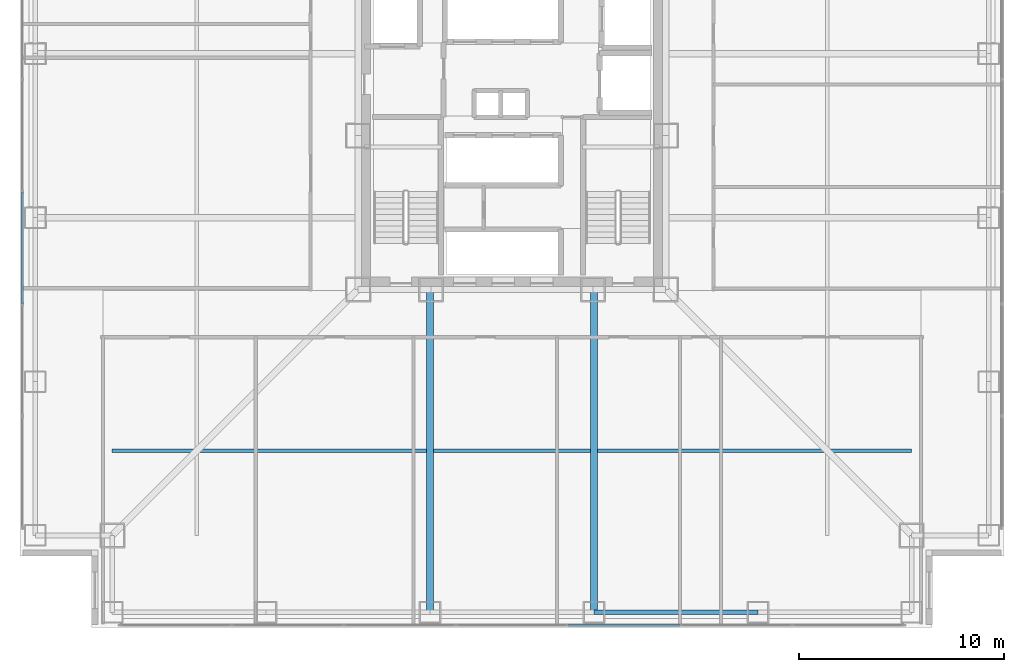
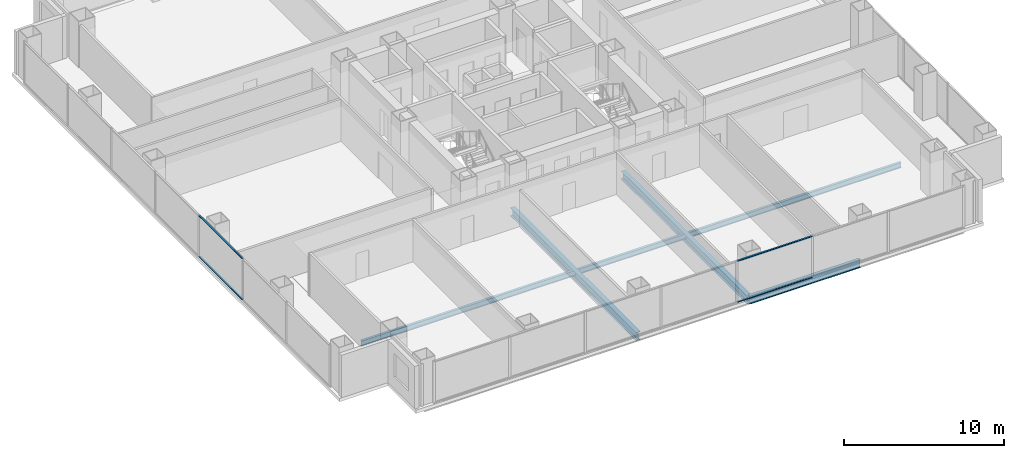
# One storey, part 3 of 19: 4 beams, 4 members, 2 elements without a shape of their own.
"""IFC4 building model written with IfcOpenShell, lengths in metres."""

from ifc_helpers import new_model, si_unit, direction, frame, origin, origin_2d, place, context, subcontext, project, spatial, rectangle, i_section, extrude, material, layer, layer_set, material_profile, profile_set, type_object, element, aggregate, save


model = new_model("IFC4")

# Units and contexts
model_context = context("Model", 3, precision=1e-05, world=origin(), true_north=direction((0.0, 1.0)))
body_context = subcontext(model_context, "Body", "Model", "MODEL_VIEW")
ifc_project = project(units=[si_unit("LENGTHUNIT", "METRE"), si_unit("AREAUNIT", "SQUARE_METRE"), si_unit("VOLUMEUNIT", "CUBIC_METRE"), si_unit("PLANEANGLEUNIT", "RADIAN"), si_unit("MASSUNIT", "GRAM", prefix="KILO")], contexts=[model_context])

# Site, building, storey
site_placement = place(None, origin())
site = spatial("IfcSite", under=ifc_project, at=site_placement, CompositionType="ELEMENT")
building_placement = place(site_placement, origin())
building = spatial("IfcBuilding", under=site, at=building_placement, Name="Trevonay Congress Spire", CompositionType="ELEMENT")
storey_placement = place(building_placement, frame((0.0, 0.0, 41.0)))
storey = spatial("IfcBuildingStorey", under=building, at=storey_placement, Name="L09", CompositionType="ELEMENT", Elevation=41.0)

# Beams
ifc_material_1 = material(Name="Steel ASTM A572 Grade 50", Category="steel")
ifc_material_profile_1 = material_profile(ifc_material_1, i_section(OverallWidth=0.324951171875, OverallDepth=0.615966796875, WebThickness=0.013916015625, FlangeThickness=0.021484375, FilletRadius=0.01806640625, at=origin_2d()), Name="W610x174")
ifc_profile_set_1 = profile_set([ifc_material_profile_1], Name="Steel ASTM A572 Grade 50")
beam_type_1 = type_object("IfcBeamType", Name="BM-GIRD-W610X174", PredefinedType="BEAM", material=ifc_profile_set_1)
for number, where, z_axis, x_axis, name in (
    (1, (-4.0, -7.5, -0.55810546875), (0.0, -1.0, 0.0), (1.0, 0.0, 0.0), "L09 structural beam BM-L09-GS-M"),
    (2, (4.0, -7.5, -0.55810546875), (0.0, -1.0, 0.0), (1.0, 0.0, 0.0), "L09 structural beam BM-L09-GS-P"),
):
    element("IfcBeam", number, at=place(storey_placement, frame(where, z_axis=z_axis, x_axis=x_axis)), inside=storey, type_object=beam_type_1, Name=name, PredefinedType="BEAM", context=body_context, shape_type="SweptSolid", body=[
        extrude(i_section(OverallWidth=0.324951171875, OverallDepth=0.615966796875, WebThickness=0.013916015625, FlangeThickness=0.021484375, FilletRadius=0.01806640625, at=origin_2d()), origin(), (0.0, 0.0, 1.0), 15.75),
    ])
ifc_material_profile_2 = material_profile(ifc_material_1, i_section(OverallWidth=0.22998046875, OverallDepth=0.616943359375, WebThickness=0.01318359375, FlangeThickness=0.022216796875, FilletRadius=0.01611328125, at=origin_2d()), Name="W610x140")
ifc_profile_set_2 = profile_set([ifc_material_profile_2], Name="Steel ASTM A572 Grade 50")
beam_type_2 = type_object("IfcBeamType", Name="BM-RING-W610X140", PredefinedType="BEAM", material=ifc_profile_set_2)
beam_1_placement = place(storey_placement, frame((4.0, -23.25, -0.55859375), z_axis=(1.0, 0.0, 0.0), x_axis=(0.0, 1.0, 0.0)))
element("IfcBeam", 3, at=beam_1_placement, inside=storey, type_object=beam_type_2, Name="L09 structural beam BM-L09-PS4", PredefinedType="BEAM", context=body_context, shape_type="SweptSolid", body=[
    extrude(i_section(OverallWidth=0.22998046875, OverallDepth=0.616943359375, WebThickness=0.01318359375, FlangeThickness=0.022216796875, FilletRadius=0.01611328125, at=origin_2d()), origin(), (0.0, 0.0, 1.0), 8.0),
])

# Curtain wall, members
ifc_material_2 = material(Name="Pale Anodised Aluminium EN AW-6063-T6", Category="aluminium")
ifc_layer = layer(ifc_material_2, 0.179931640625, Name="Pale Anodised Aluminium EN AW-6063-T6")
ifc_layer_set = layer_set([ifc_layer], Name="Pale Anodised Aluminium EN AW-6063-T6")
curtain_wall_type = type_object("IfcCurtainWallType", Name="CW-SYS02-HOTEL-PALE-METAL", PredefinedType="NOTDEFINED", material=ifc_layer_set)
curtain_wall_1_placement = place(storey_placement, origin())
curtain_wall_1 = element("IfcCurtainWall", 4, at=curtain_wall_1_placement, inside=storey, type_object=curtain_wall_type, Name="L09 S unitised curtain wall", PredefinedType="NOTDEFINED")
ifc_material_profile_3 = material_profile(ifc_material_2, rectangle(XDim=0.1201171875, YDim=0.06005859375, at=origin_2d()), Name="CW-TRANSOM-120-ALUMINIUM")
ifc_profile_set_3 = profile_set([ifc_material_profile_3], Name="Pale Anodised Aluminium EN AW-6063-T6")
member_type = type_object("IfcMemberType", Name="CW-TRANSOM-120-ALUMINIUM", PredefinedType="USERDEFINED", material=ifc_profile_set_3)
member_1_placement = place(storey_placement, frame((2.765625, -23.8798828125, 0.06005859375), z_axis=(1.0, 0.0, 0.0), x_axis=(0.0, 1.0, 0.0)))
member_1 = element("IfcMember", 5, at=member_1_placement, type_object=member_type, Name="CW02 transom 5.1", ObjectType="TRANSOM", PredefinedType="USERDEFINED", context=body_context, shape_type="SweptSolid", body=[
    extrude(rectangle(XDim=0.1201171875, YDim=0.06005859375, at=origin_2d()), origin(), (0.0, 0.0, 1.0), 5.41162109375),
])
member_2_placement = place(storey_placement, frame((2.765625, -23.8798828125, 3.18994140625), z_axis=(1.0, 0.0, 0.0), x_axis=(0.0, 1.0, 0.0)))
member_2 = element("IfcMember", 6, at=member_2_placement, type_object=member_type, Name="CW02 transom 5.2", ObjectType="TRANSOM", PredefinedType="USERDEFINED", context=body_context, shape_type="SweptSolid", body=[
    extrude(rectangle(XDim=0.1201171875, YDim=0.06005859375, at=origin_2d()), origin(), (0.0, 0.0, 1.0), 5.41162109375),
])
aggregate(curtain_wall_1, [member_1, member_2])

curtain_wall_2_placement = place(storey_placement, origin())
curtain_wall_2 = element("IfcCurtainWall", 7, at=curtain_wall_2_placement, inside=storey, type_object=curtain_wall_type, Name="L09 W unitised curtain wall", PredefinedType="NOTDEFINED")
member_3_placement = place(storey_placement, frame((-23.8798828125, -8.17724609375, 0.06005859375), z_axis=(0.0, 1.0, 0.0), x_axis=(-1.0, 0.0, 0.0)))
member_3 = element("IfcMember", 8, at=member_3_placement, type_object=member_type, Name="CW02 transom 3.1", ObjectType="TRANSOM", PredefinedType="USERDEFINED", context=body_context, shape_type="SweptSolid", body=[
    extrude(rectangle(XDim=0.1201171875, YDim=0.06005859375, at=origin_2d()), origin(), (0.0, 0.0, 1.0), 5.41162109375),
])
member_4_placement = place(storey_placement, frame((-23.8798828125, -8.17724609375, 3.18994140625), z_axis=(0.0, 1.0, 0.0), x_axis=(-1.0, 0.0, 0.0)))
member_4 = element("IfcMember", 9, at=member_4_placement, type_object=member_type, Name="CW02 transom 3.2", ObjectType="TRANSOM", PredefinedType="USERDEFINED", context=body_context, shape_type="SweptSolid", body=[
    extrude(rectangle(XDim=0.1201171875, YDim=0.06005859375, at=origin_2d()), origin(), (0.0, 0.0, 1.0), 5.41162109375),
])
aggregate(curtain_wall_2, [member_3, member_4])

# Beam
ifc_material_profile_4 = material_profile(ifc_material_1, i_section(OverallWidth=0.177978515625, OverallDepth=0.406982421875, WebThickness=0.0078125, FlangeThickness=0.0126953125, FilletRadius=0.012939453125, at=origin_2d()), Name="W410x60")
ifc_profile_set_4 = profile_set([ifc_material_profile_4], Name="Steel ASTM A572 Grade 50")
beam_type_3 = type_object("IfcBeamType", Name="JS-COMP-W410X60", PredefinedType="JOIST", material=ifc_profile_set_4)
beam_2_placement = place(storey_placement, frame((-19.5, -15.375, -0.45361328125), z_axis=(1.0, 0.0, 0.0), x_axis=(0.0, 1.0, 0.0)))
element("IfcBeam", 10, at=beam_2_placement, inside=storey, type_object=beam_type_3, Name="L09 structural beam JS-L09-RING-S", PredefinedType="JOIST", context=body_context, shape_type="SweptSolid", body=[
    extrude(i_section(OverallWidth=0.177978515625, OverallDepth=0.406982421875, WebThickness=0.0078125, FlangeThickness=0.0126953125, FilletRadius=0.012939453125, at=origin_2d()), origin(), (0.0, 0.0, 1.0), 39.0),
])

save(model, "model.ifc")
